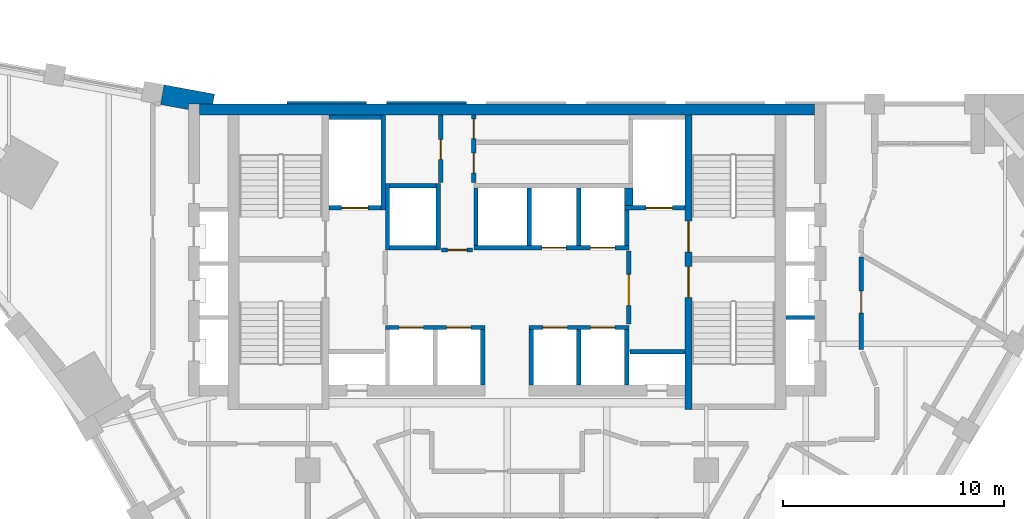
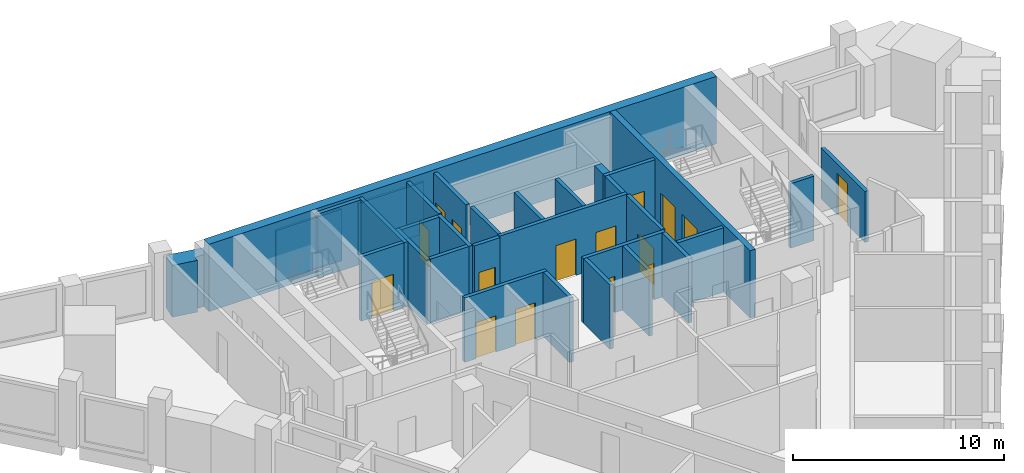
# One storey, part 6 of 9: 32 walls, 16 doors, 16 openings.
"""IFC4 building model written with IfcOpenShell, lengths in metres."""

from ifc_helpers import new_model, si_unit, direction, frame, frame_2d, origin, place, context, subcontext, project, spatial, polyline, rectangle, outline, extrude, material, layer, layer_set, type_object, element, fill, save


model = new_model("IFC4")

# Units and contexts
model_context = context("Model", 3, precision=1e-05, world=origin(), true_north=direction((0.0, 1.0)))
body_context = subcontext(model_context, "Body", "Model", "MODEL_VIEW")
ifc_project = project(units=[si_unit("LENGTHUNIT", "METRE"), si_unit("AREAUNIT", "SQUARE_METRE"), si_unit("VOLUMEUNIT", "CUBIC_METRE"), si_unit("PLANEANGLEUNIT", "RADIAN"), si_unit("MASSUNIT", "GRAM", prefix="KILO")], contexts=[model_context])

# Site, building, storey
site_placement = place(None, origin())
site = spatial("IfcSite", under=ifc_project, at=site_placement, CompositionType="ELEMENT")
building_placement = place(site_placement, origin())
building = spatial("IfcBuilding", under=site, at=building_placement, Name="Calabash Gate Tower", CompositionType="ELEMENT")
storey_placement = place(building_placement, frame((0.0, 0.0, 208.10009765625)))
storey = spatial("IfcBuildingStorey", under=building, at=storey_placement, Name="L49", CompositionType="ELEMENT", Elevation=208.10009765625)

# Wall
ifc_material_1 = material(Name="Terracotta brick masonry, exposed face", Category="masonry")
ifc_layer_1 = layer(ifc_material_1, 0.89990234375)
ifc_layer_set_1 = layer_set([ifc_layer_1], Name="Brick end wall 900")
wall_type_1 = type_object("IfcWallType", Name="Brick end wall 900", PredefinedType="SOLIDWALL", material=ifc_layer_set_1)
wall_1_placement = place(storey_placement, origin())
element("IfcWall", 1, at=wall_1_placement, inside=storey, type_object=wall_type_1, Name="Brick end wall S14 1", PredefinedType="SOLIDWALL", context=body_context, shape_type="SweptSolid", body=[
    extrude(outline(polyline([(-15.651611328125, 19.02734375), (-15.65185546875, 19.027099609375), (-14.39990234375, 18.798095703125), (-14.39990234375, 19.052490234375), (-13.291015625, 19.052490234375), (-13.2099609375, 19.4951171875), (-15.489501953125, 19.912353515625), (-15.6513671875, 19.02734375), (-15.651611328125, 19.02734375)])), origin(), (0.0, 0.0, 1.0), 3.0),
])

# Wall, openings, doors
ifc_material_2 = material(Name="Concrete C70/85", Category="concrete")
ifc_layer_2 = layer(ifc_material_2, 0.300048828125)
ifc_layer_set_2 = layer_set([ifc_layer_2], Name="Core wall 300 Concrete C70/85")
wall_type_2 = type_object("IfcWallType", Name="Core wall 300 Concrete C70/85", PredefinedType="SHEAR", material=ifc_layer_set_2)
wall_2_placement = place(storey_placement, frame((8.199951171875, 5.252685546875, 0.0), z_axis=(0.0, 0.0, 1.0), x_axis=(0.0, 1.0, 0.0)))
wall_2 = element("IfcWall", 2, at=wall_2_placement, inside=storey, type_object=wall_type_2, Name="Core wall Z4-PARTE L49", PredefinedType="SHEAR", context=body_context, shape_type="SweptSolid", body=[
    extrude(rectangle(XDim=13.2998046875, YDim=0.300048828125, at=frame_2d((6.64990234375, 0.0))), origin(), (0.0, 0.0, 1.0), 3.89990234375),
])
opening_1_placement = place(wall_2_placement, frame((7.10009765625, 0.0, 0.0)))
opening_1 = element("IfcOpeningElement", 3, at=opening_1_placement, cuts=wall_2, Name="Opening O6-019", PredefinedType="OPENING", context=body_context, shape_type="SweptSolid", body=[
    extrude(rectangle(XDim=1.39990234375, YDim=2.10009765625, at=frame_2d((0.699951171875, 1.050048828125))), frame((0.0, 0.159912109375, 0.0), z_axis=(0.0, -1.0, 0.0), x_axis=(1.0, 0.0, 0.0)), (0.0, 0.0, 1.0), 0.320068359375),
])
opening_2_placement = place(wall_2_placement, frame((5.050048828125, 0.0, 0.0)))
opening_2 = element("IfcOpeningElement", 4, at=opening_2_placement, cuts=wall_2, Name="Opening O6-020", PredefinedType="OPENING", context=body_context, shape_type="SweptSolid", body=[
    extrude(rectangle(XDim=1.39990234375, YDim=2.10009765625, at=frame_2d((0.699951171875, 1.050048828125))), frame((0.0, 0.159912109375, 0.0), z_axis=(0.0, -1.0, 0.0), x_axis=(1.0, 0.0, 0.0)), (0.0, 0.0, 1.0), 0.320068359375),
])
ifc_material_3 = material(Name="Steel fire door set with fire-resisting glazing", Category="steel")
door_type_1 = type_object("IfcDoorType", Name="Fire door D05 1400x2100 FD90", OperationType="NOTDEFINED", PredefinedType="DOOR", material=ifc_material_3)
door_1_placement = place(opening_1_placement, origin())
door_1 = element("IfcDoor", 5, at=door_1_placement, inside=storey, type_object=door_type_1, Name="Exit stair door ST3", OperationType="SINGLE_SWING_RIGHT", OverallHeight=2.10009765625, OverallWidth=1.39990234375, PredefinedType="DOOR", context=body_context, shape_type="SweptSolid", body=[
    extrude(rectangle(XDim=1.39990234375, YDim=2.10009765625, at=frame_2d((0.699951171875, 1.050048828125))), frame((0.0, 0.02490234375, 0.0), z_axis=(0.0, -1.0, 0.0), x_axis=(1.0, 0.0, 0.0)), (0.0, 0.0, 1.0), 0.050048828125),
])
fill(opening_1, door_1)
door_2_placement = place(opening_2_placement, origin())
door_2 = element("IfcDoor", 6, at=door_2_placement, inside=storey, type_object=door_type_1, Name="Exit stair door ST4", OperationType="SINGLE_SWING_LEFT", OverallHeight=2.10009765625, OverallWidth=1.39990234375, PredefinedType="DOOR", context=body_context, shape_type="SweptSolid", body=[
    extrude(rectangle(XDim=1.39990234375, YDim=2.10009765625, at=frame_2d((0.699951171875, 1.050048828125))), frame((0.0, 0.02490234375, 0.0), z_axis=(0.0, -1.0, 0.0), x_axis=(1.0, 0.0, 0.0)), (0.0, 0.0, 1.0), 0.050048828125),
])
fill(opening_2, door_2)

# Wall
ifc_material_4 = material(Name="Concrete C70/85", Category="concrete")
ifc_layer_3 = layer(ifc_material_4, 0.5)
ifc_layer_set_3 = layer_set([ifc_layer_3], Name="Core wall 500 Concrete C70/85")
wall_type_3 = type_object("IfcWallType", Name="Core wall 500 Concrete C70/85", PredefinedType="SHEAR", material=ifc_layer_set_3)
wall_3_placement = place(storey_placement, frame((-13.89990234375, 18.802490234375, 0.0), z_axis=(0.0, 0.0, 1.0), x_axis=(1.0, 0.0, 0.0)))
element("IfcWall", 7, at=wall_3_placement, inside=storey, type_object=wall_type_3, Name="Core wall Z4-N L49", PredefinedType="SHEAR", context=body_context, shape_type="SweptSolid", body=[
    extrude(rectangle(XDim=27.7998046875, YDim=0.5, at=frame_2d((13.89990234375, 0.0))), origin(), (0.0, 0.0, 1.0), 3.89990234375),
])

# Wall, opening, door
ifc_material_5 = material(Name="Gypsum board on steel studs, mineral wool", Category="steel")
ifc_layer_4 = layer(ifc_material_5, 0.199951171875)
ifc_layer_set_4 = layer_set([ifc_layer_4], Name="Partition 200 gypsum board EI 60")
wall_type_4 = type_object("IfcWallType", Name="Partition 200 gypsum board EI 60", PredefinedType="PARTITIONING", material=ifc_layer_set_4)
wall_4_placement = place(storey_placement, frame((16.00048828125, 7.95263671875, 0.0), z_axis=(0.0, 0.0, 1.0), x_axis=(0.000349507755, 0.999999938922, 0.0)))
wall_4 = element("IfcWall", 8, at=wall_4_placement, inside=storey, type_object=wall_type_4, Name="Partition", PredefinedType="PARTITIONING", context=body_context, shape_type="SweptSolid", body=[
    extrude(rectangle(XDim=4.191162109375, YDim=0.199951171875, at=frame_2d((2.095703125, 0.0))), origin(), (0.0, 0.0, 1.0), 2.949951171875),
])
opening_3_placement = place(wall_4_placement, frame((1.64599609375, 0.0, 0.0)))
opening_3 = element("IfcOpeningElement", 9, at=opening_3_placement, cuts=wall_4, Name="Opening 49-51-014", PredefinedType="OPENING", context=body_context, shape_type="SweptSolid", body=[
    extrude(rectangle(XDim=1.0, YDim=2.39990234375, at=frame_2d((0.5, 1.199951171875))), frame((0.0, 0.10986328125, 0.0), z_axis=(0.0, -1.0, 0.0), x_axis=(1.0, 0.0, 0.0)), (0.0, 0.0, 1.0), 0.219970703125),
])
ifc_material_6 = material(Name="Painted timber door", Category="wood")
door_type_2 = type_object("IfcDoorType", Name="OD2 Glazed office door 1000x2400", OperationType="NOTDEFINED", PredefinedType="DOOR", material=ifc_material_6)
door_3_placement = place(opening_3_placement, origin())
door_3 = element("IfcDoor", 10, at=door_3_placement, inside=storey, type_object=door_type_2, Name="Glazed office door", OperationType="SINGLE_SWING_LEFT", OverallHeight=2.39990234375, OverallWidth=1.0, PredefinedType="DOOR", context=body_context, shape_type="SweptSolid", body=[
    extrude(rectangle(XDim=1.0, YDim=2.39990234375, at=frame_2d((0.5, 1.199951171875))), frame((0.0, 0.02490234375, 0.0), z_axis=(0.0, -1.0, 0.0), x_axis=(1.0, 0.0, 0.0)), (0.0, 0.0, 1.0), 0.050048828125),
])
fill(opening_3, door_3)

# Walls
ifc_material_7 = material(Name="Concrete C40/50", Category="concrete")
ifc_layer_5 = layer(ifc_material_7, 0.199951171875)
ifc_layer_set_5 = layer_set([ifc_layer_5], Name="Shaft wall 200 Concrete C40/50")
wall_type_5 = type_object("IfcWallType", Name="Shaft wall 200 Concrete C40/50", PredefinedType="SOLIDWALL", material=ifc_layer_set_5)
for number, where, z_axis, x_axis, name in (
    (11, (-1.10009765625, 6.3525390625, 0.0), (0.0, 0.0, 1.0), (0.0, 1.0, 0.0), "Shaft wall"),
    (12, (1.10009765625, 6.3525390625, 0.0), (0.0, 0.0, 1.0), (0.0, 1.0, 0.0), "Shaft wall"),
    (13, (3.25, 6.3525390625, 0.0), (0.0, 0.0, 1.0), (0.0, 1.0, 0.0), "Shaft wall"),
    (14, (5.39990234375, 6.3525390625, 0.0), (0.0, 0.0, 1.0), (0.0, 1.0, 0.0), "Shaft wall"),
    (15, (5.550048828125, 7.8525390625, 0.0), (0.0, 0.0, 1.0), (1.0, 0.0, 0.0), "Shaft wall"),
):
    element("IfcWall", number, at=place(storey_placement, frame(where, z_axis=z_axis, x_axis=x_axis)), inside=storey, type_object=wall_type_5, Name=name, PredefinedType="SOLIDWALL", context=body_context, shape_type="SweptSolid", body=[
        extrude(rectangle(XDim=2.5, YDim=0.199951171875, at=frame_2d((1.25, 0.0))), origin(), (0.0, 0.0, 1.0), 3.72998046875),
    ])

# Wall, openings, doors
wall_5_placement = place(storey_placement, frame((-5.5, 8.95263671875, 0.0), z_axis=(0.0, 0.0, 1.0), x_axis=(1.0, 0.0, 0.0)))
wall_5 = element("IfcWall", 16, at=wall_5_placement, inside=storey, type_object=wall_type_5, Name="Shaft wall", PredefinedType="SOLIDWALL", context=body_context, shape_type="SweptSolid", body=[
    extrude(rectangle(XDim=4.5, YDim=0.199951171875, at=frame_2d((2.25, 0.0))), origin(), (0.0, 0.0, 1.0), 3.72998046875),
])
opening_4_placement = place(wall_5_placement, frame((0.625, 0.0, 0.0)))
opening_4 = element("IfcOpeningElement", 17, at=opening_4_placement, cuts=wall_5, Name="Opening LD-HR1", PredefinedType="OPENING", context=body_context, shape_type="SweptSolid", body=[
    extrude(rectangle(XDim=1.10009765625, YDim=2.10009765625, at=frame_2d((0.550048828125, 1.050048828125))), frame((0.0, 0.10986328125, 0.0), z_axis=(0.0, -1.0, 0.0), x_axis=(1.0, 0.0, 0.0)), (0.0, 0.0, 1.0), 0.219970703125),
])
opening_5_placement = place(wall_5_placement, frame((2.77490234375, 0.0, 0.0)))
opening_5 = element("IfcOpeningElement", 18, at=opening_5_placement, cuts=wall_5, Name="Opening LD-HR2", PredefinedType="OPENING", context=body_context, shape_type="SweptSolid", body=[
    extrude(rectangle(XDim=1.10009765625, YDim=2.10009765625, at=frame_2d((0.550048828125, 1.050048828125))), frame((0.0, 0.10986328125, 0.0), z_axis=(0.0, -1.0, 0.0), x_axis=(1.0, 0.0, 0.0)), (0.0, 0.0, 1.0), 0.219970703125),
])
ifc_material_8 = material(Name="Stainless steel sliding door leaves", Category="steel")
door_type_3 = type_object("IfcDoorType", Name="Lift landing door LS1 1100x2100 FD90", OperationType="DOUBLE_DOOR_SLIDING", PredefinedType="DOOR", material=ifc_material_8)
door_4_placement = place(opening_4_placement, origin())
door_4 = element("IfcDoor", 19, at=door_4_placement, inside=storey, type_object=door_type_3, Name="Lift landing door HR1", OperationType="DOUBLE_DOOR_SLIDING", OverallHeight=2.10009765625, OverallWidth=1.10009765625, PredefinedType="DOOR", context=body_context, shape_type="SweptSolid", body=[
    extrude(rectangle(XDim=1.10009765625, YDim=2.10009765625, at=frame_2d((0.550048828125, 1.050048828125))), frame((0.0, 0.02490234375, 0.0), z_axis=(0.0, -1.0, 0.0), x_axis=(1.0, 0.0, 0.0)), (0.0, 0.0, 1.0), 0.050048828125),
])
fill(opening_4, door_4)
door_5_placement = place(opening_5_placement, origin())
door_5 = element("IfcDoor", 20, at=door_5_placement, inside=storey, type_object=door_type_3, Name="Lift landing door HR2", OperationType="DOUBLE_DOOR_SLIDING", OverallHeight=2.10009765625, OverallWidth=1.10009765625, PredefinedType="DOOR", context=body_context, shape_type="SweptSolid", body=[
    extrude(rectangle(XDim=1.10009765625, YDim=2.10009765625, at=frame_2d((0.550048828125, 1.050048828125))), frame((0.0, 0.02490234375, 0.0), z_axis=(0.0, -1.0, 0.0), x_axis=(1.0, 0.0, 0.0)), (0.0, 0.0, 1.0), 0.050048828125),
])
fill(opening_5, door_5)

wall_6_placement = place(storey_placement, frame((1.0, 8.95263671875, 0.0), z_axis=(0.0, 0.0, 1.0), x_axis=(1.0, 0.0, 0.0)))
wall_6 = element("IfcWall", 21, at=wall_6_placement, inside=storey, type_object=wall_type_5, Name="Shaft wall", PredefinedType="SOLIDWALL", context=body_context, shape_type="SweptSolid", body=[
    extrude(rectangle(XDim=4.5, YDim=0.199951171875, at=frame_2d((2.25, 0.0))), origin(), (0.0, 0.0, 1.0), 3.72998046875),
])
opening_6_placement = place(wall_6_placement, frame((0.625, 0.0, 0.0)))
opening_6 = element("IfcOpeningElement", 22, at=opening_6_placement, cuts=wall_6, Name="Opening LD-HR3", PredefinedType="OPENING", context=body_context, shape_type="SweptSolid", body=[
    extrude(rectangle(XDim=1.10009765625, YDim=2.10009765625, at=frame_2d((0.550048828125, 1.050048828125))), frame((0.0, 0.10986328125, 0.0), z_axis=(0.0, -1.0, 0.0), x_axis=(1.0, 0.0, 0.0)), (0.0, 0.0, 1.0), 0.219970703125),
])
opening_7_placement = place(wall_6_placement, frame((2.77490234375, 0.0, 0.0)))
opening_7 = element("IfcOpeningElement", 23, at=opening_7_placement, cuts=wall_6, Name="Opening LD-HR4", PredefinedType="OPENING", context=body_context, shape_type="SweptSolid", body=[
    extrude(rectangle(XDim=1.10009765625, YDim=2.10009765625, at=frame_2d((0.550048828125, 1.050048828125))), frame((0.0, 0.10986328125, 0.0), z_axis=(0.0, -1.0, 0.0), x_axis=(1.0, 0.0, 0.0)), (0.0, 0.0, 1.0), 0.219970703125),
])
door_6_placement = place(opening_6_placement, origin())
door_6 = element("IfcDoor", 24, at=door_6_placement, inside=storey, type_object=door_type_3, Name="Lift landing door HR3", OperationType="DOUBLE_DOOR_SLIDING", OverallHeight=2.10009765625, OverallWidth=1.10009765625, PredefinedType="DOOR", context=body_context, shape_type="SweptSolid", body=[
    extrude(rectangle(XDim=1.10009765625, YDim=2.10009765625, at=frame_2d((0.550048828125, 1.050048828125))), frame((0.0, 0.02490234375, 0.0), z_axis=(0.0, -1.0, 0.0), x_axis=(1.0, 0.0, 0.0)), (0.0, 0.0, 1.0), 0.050048828125),
])
fill(opening_6, door_6)
door_7_placement = place(opening_7_placement, origin())
door_7 = element("IfcDoor", 25, at=door_7_placement, inside=storey, type_object=door_type_3, Name="Lift landing door HR4", OperationType="DOUBLE_DOOR_SLIDING", OverallHeight=2.10009765625, OverallWidth=1.10009765625, PredefinedType="DOOR", context=body_context, shape_type="SweptSolid", body=[
    extrude(rectangle(XDim=1.10009765625, YDim=2.10009765625, at=frame_2d((0.550048828125, 1.050048828125))), frame((0.0, 0.02490234375, 0.0), z_axis=(0.0, -1.0, 0.0), x_axis=(1.0, 0.0, 0.0)), (0.0, 0.0, 1.0), 0.050048828125),
])
fill(opening_7, door_7)

# Wall, opening, door
wall_7_placement = place(storey_placement, frame((5.5, 9.1025390625, 0.0), z_axis=(0.0, 0.0, 1.0), x_axis=(0.0, 1.0, 0.0)))
wall_7 = element("IfcWall", 26, at=wall_7_placement, inside=storey, type_object=wall_type_5, Name="Shaft wall", PredefinedType="SOLIDWALL", context=body_context, shape_type="SweptSolid", body=[
    extrude(rectangle(XDim=3.300048828125, YDim=0.199951171875, at=frame_2d((1.64990234375, 0.0))), origin(), (0.0, 0.0, 1.0), 3.72998046875),
])
opening_8_placement = place(wall_7_placement, frame((0.85009765625, 0.0, 0.0)))
opening_8 = element("IfcOpeningElement", 27, at=opening_8_placement, cuts=wall_7, Name="Opening O6-010", PredefinedType="OPENING", context=body_context, shape_type="SweptSolid", body=[
    extrude(rectangle(XDim=1.39990234375, YDim=2.10009765625, at=frame_2d((0.699951171875, 1.050048828125))), frame((0.0, 0.10986328125, 0.0), z_axis=(0.0, -1.0, 0.0), x_axis=(1.0, 0.0, 0.0)), (0.0, 0.0, 1.0), 0.219970703125),
])
door_8_placement = place(opening_8_placement, origin())
door_8 = element("IfcDoor", 28, at=door_8_placement, inside=storey, type_object=door_type_1, Name="Firefighting Lobby E door", OperationType="SINGLE_SWING_LEFT", OverallHeight=2.10009765625, OverallWidth=1.39990234375, PredefinedType="DOOR", context=body_context, shape_type="SweptSolid", body=[
    extrude(rectangle(XDim=1.39990234375, YDim=2.10009765625, at=frame_2d((0.699951171875, 1.050048828125))), frame((0.0, 0.02490234375, 0.0), z_axis=(0.0, -1.0, 0.0), x_axis=(1.0, 0.0, 0.0)), (0.0, 0.0, 1.0), 0.050048828125),
])
fill(opening_8, door_8)

# Wall
wall_8_placement = place(storey_placement, frame((12.60009765625, 9.402587890625, 0.0), z_axis=(0.0, 0.0, 1.0), x_axis=(1.0, 0.0, 0.0)))
element("IfcWall", 29, at=wall_8_placement, inside=storey, type_object=wall_type_5, Name="Shaft wall", PredefinedType="SOLIDWALL", context=body_context, shape_type="SweptSolid", body=[
    extrude(rectangle(XDim=1.2998046875, YDim=0.199951171875, at=frame_2d((0.64990234375, 0.0))), origin(), (0.0, 0.0, 1.0), 3.72998046875),
])

# Wall, opening, door
wall_9_placement = place(storey_placement, frame((-2.949951171875, 12.45263671875, 0.0), z_axis=(0.0, 0.0, 1.0), x_axis=(1.0, 0.0, 0.0)))
wall_9 = element("IfcWall", 30, at=wall_9_placement, inside=storey, type_object=wall_type_5, Name="Shaft wall", PredefinedType="SOLIDWALL", context=body_context, shape_type="SweptSolid", body=[
    extrude(rectangle(XDim=1.39990234375, YDim=0.199951171875, at=frame_2d((0.699951171875, 0.0))), origin(), (0.0, 0.0, 1.0), 3.72998046875),
])
opening_9_placement = place(wall_9_placement, frame((0.25, 0.0, 0.0)))
opening_9 = element("IfcOpeningElement", 31, at=opening_9_placement, cuts=wall_9, Name="Opening O6-009", PredefinedType="OPENING", context=body_context, shape_type="SweptSolid", body=[
    extrude(rectangle(XDim=0.89990234375, YDim=2.10009765625, at=frame_2d((0.449951171875, 1.050048828125))), frame((0.0, 0.10986328125, 0.0), z_axis=(0.0, -1.0, 0.0), x_axis=(1.0, 0.0, 0.0)), (0.0, 0.0, 1.0), 0.219970703125),
])
ifc_material_9 = material(Name="Steel fire door set with fire-resisting glazing", Category="steel")
door_type_4 = type_object("IfcDoorType", Name="Fire door D06 900x2100 FD60", OperationType="NOTDEFINED", PredefinedType="DOOR", material=ifc_material_9)
door_9_placement = place(opening_9_placement, origin())
door_9 = element("IfcDoor", 32, at=door_9_placement, inside=storey, type_object=door_type_4, Name="Service Corridor door", OperationType="SINGLE_SWING_RIGHT", OverallHeight=2.10009765625, OverallWidth=0.89990234375, PredefinedType="DOOR", context=body_context, shape_type="SweptSolid", body=[
    extrude(rectangle(XDim=0.89990234375, YDim=2.10009765625, at=frame_2d((0.449951171875, 1.050048828125))), frame((0.0, 0.02490234375, 0.0), z_axis=(0.0, -1.0, 0.0), x_axis=(1.0, 0.0, 0.0)), (0.0, 0.0, 1.0), 0.050048828125),
])
fill(opening_9, door_9)

# Walls
wall_10_placement = place(storey_placement, frame((-5.39990234375, 12.45263671875, 0.0), z_axis=(0.0, 0.0, 1.0), x_axis=(0.0, 1.0, 0.0)))
element("IfcWall", 33, at=wall_10_placement, inside=storey, type_object=wall_type_5, Name="Shaft wall", PredefinedType="SOLIDWALL", context=body_context, shape_type="SweptSolid", body=[
    extrude(rectangle(XDim=3.0, YDim=0.199951171875, at=frame_2d((1.5, 0.0))), origin(), (0.0, 0.0, 1.0), 3.72998046875),
])
wall_11_placement = place(storey_placement, frame((-5.300048828125, 12.552490234375, 0.0), z_axis=(0.0, 0.0, 1.0), x_axis=(1.0, 0.0, 0.0)))
element("IfcWall", 34, at=wall_11_placement, inside=storey, type_object=wall_type_5, Name="Shaft wall", PredefinedType="SOLIDWALL", context=body_context, shape_type="SweptSolid", body=[
    extrude(rectangle(XDim=2.10009765625, YDim=0.199951171875, at=frame_2d((1.050048828125, 0.0))), origin(), (0.0, 0.0, 1.0), 3.72998046875),
])
wall_12_placement = place(storey_placement, frame((-3.10009765625, 12.45263671875, 0.0), z_axis=(0.0, 0.0, 1.0), x_axis=(0.0, 1.0, 0.0)))
element("IfcWall", 35, at=wall_12_placement, inside=storey, type_object=wall_type_5, Name="Shaft wall", PredefinedType="SOLIDWALL", context=body_context, shape_type="SweptSolid", body=[
    extrude(rectangle(XDim=3.0, YDim=0.199951171875, at=frame_2d((1.5, 0.0))), origin(), (0.0, 0.0, 1.0), 3.72998046875),
])

# Wall, openings, doors
wall_13_placement = place(storey_placement, frame((-1.5, 12.552490234375, 0.0), z_axis=(0.0, 0.0, 1.0), x_axis=(1.0, 0.0, 0.0)))
wall_13 = element("IfcWall", 36, at=wall_13_placement, inside=storey, type_object=wall_type_5, Name="Shaft wall", PredefinedType="SOLIDWALL", context=body_context, shape_type="SweptSolid", body=[
    extrude(rectangle(XDim=7.0, YDim=0.199951171875, at=frame_2d((3.5, 0.0))), origin(), (0.0, 0.0, 1.0), 3.72998046875),
])
opening_10_placement = place(wall_13_placement, frame((3.074951171875, 0.0, 0.0)))
opening_10 = element("IfcOpeningElement", 37, at=opening_10_placement, cuts=wall_13, Name="Opening LD-HR5", PredefinedType="OPENING", context=body_context, shape_type="SweptSolid", body=[
    extrude(rectangle(XDim=1.10009765625, YDim=2.10009765625, at=frame_2d((0.550048828125, 1.050048828125))), frame((0.0, 0.10986328125, 0.0), z_axis=(0.0, -1.0, 0.0), x_axis=(1.0, 0.0, 0.0)), (0.0, 0.0, 1.0), 0.219970703125),
])
opening_11_placement = place(wall_13_placement, frame((5.27490234375, 0.0, 0.0)))
opening_11 = element("IfcOpeningElement", 38, at=opening_11_placement, cuts=wall_13, Name="Opening LD-HR6", PredefinedType="OPENING", context=body_context, shape_type="SweptSolid", body=[
    extrude(rectangle(XDim=1.10009765625, YDim=2.10009765625, at=frame_2d((0.550048828125, 1.050048828125))), frame((0.0, 0.10986328125, 0.0), z_axis=(0.0, -1.0, 0.0), x_axis=(1.0, 0.0, 0.0)), (0.0, 0.0, 1.0), 0.219970703125),
])
door_10_placement = place(opening_10_placement, origin())
door_10 = element("IfcDoor", 39, at=door_10_placement, inside=storey, type_object=door_type_3, Name="Lift landing door HR5", OperationType="DOUBLE_DOOR_SLIDING", OverallHeight=2.10009765625, OverallWidth=1.10009765625, PredefinedType="DOOR", context=body_context, shape_type="SweptSolid", body=[
    extrude(rectangle(XDim=1.10009765625, YDim=2.10009765625, at=frame_2d((0.550048828125, 1.050048828125))), frame((0.0, 0.02490234375, 0.0), z_axis=(0.0, -1.0, 0.0), x_axis=(1.0, 0.0, 0.0)), (0.0, 0.0, 1.0), 0.050048828125),
])
fill(opening_10, door_10)
door_11_placement = place(opening_11_placement, origin())
door_11 = element("IfcDoor", 40, at=door_11_placement, inside=storey, type_object=door_type_3, Name="Lift landing door HR6", OperationType="DOUBLE_DOOR_SLIDING", OverallHeight=2.10009765625, OverallWidth=1.10009765625, PredefinedType="DOOR", context=body_context, shape_type="SweptSolid", body=[
    extrude(rectangle(XDim=1.10009765625, YDim=2.10009765625, at=frame_2d((0.550048828125, 1.050048828125))), frame((0.0, 0.02490234375, 0.0), z_axis=(0.0, -1.0, 0.0), x_axis=(1.0, 0.0, 0.0)), (0.0, 0.0, 1.0), 0.050048828125),
])
fill(opening_11, door_11)

# Walls
for number, where, z_axis, x_axis, name in (
    (41, (-1.39990234375, 12.652587890625, 0.0), (0.0, 0.0, 1.0), (0.0, 1.0, 0.0), "Shaft wall"),
    (42, (1.0, 12.652587890625, 0.0), (0.0, 0.0, 1.0), (0.0, 1.0, 0.0), "Shaft wall"),
    (43, (3.25, 12.652587890625, 0.0), (0.0, 0.0, 1.0), (0.0, 1.0, 0.0), "Shaft wall"),
):
    element("IfcWall", number, at=place(storey_placement, frame(where, z_axis=z_axis, x_axis=x_axis)), inside=storey, type_object=wall_type_5, Name=name, PredefinedType="SOLIDWALL", context=body_context, shape_type="SweptSolid", body=[
        extrude(rectangle(XDim=2.60009765625, YDim=0.199951171875, at=frame_2d((1.300048828125, 0.0))), origin(), (0.0, 0.0, 1.0), 3.72998046875),
    ])
wall_14_placement = place(storey_placement, frame((5.39990234375, 12.652587890625, 0.0), z_axis=(0.0, 0.0, 1.0), x_axis=(0.0, 1.0, 0.0)))
element("IfcWall", 44, at=wall_14_placement, inside=storey, type_object=wall_type_5, Name="Shaft wall", PredefinedType="SOLIDWALL", context=body_context, shape_type="SweptSolid", body=[
    extrude(rectangle(XDim=1.60009765625, YDim=0.199951171875, at=frame_2d((0.800048828125, 0.0))), origin(), (0.0, 0.0, 1.0), 3.72998046875),
])

# Wall, opening, door
wall_15_placement = place(storey_placement, frame((-8.050048828125, 14.3525390625, 0.0), z_axis=(0.0, 0.0, 1.0), x_axis=(1.0, 0.0, 0.0)))
wall_15 = element("IfcWall", 45, at=wall_15_placement, inside=storey, type_object=wall_type_5, Name="Shaft wall", PredefinedType="SOLIDWALL", context=body_context, shape_type="SweptSolid", body=[
    extrude(rectangle(XDim=2.35009765625, YDim=0.199951171875, at=frame_2d((1.175048828125, 0.0))), origin(), (0.0, 0.0, 1.0), 3.72998046875),
])
opening_12_placement = place(wall_15_placement, frame((0.574951171875, 0.0, 0.0)))
opening_12 = element("IfcOpeningElement", 46, at=opening_12_placement, cuts=wall_15, Name="Opening LD-FF1", PredefinedType="OPENING", context=body_context, shape_type="SweptSolid", body=[
    extrude(rectangle(XDim=1.199951171875, YDim=2.10009765625, at=frame_2d((0.60009765625, 1.050048828125))), frame((0.0, 0.10986328125, 0.0), z_axis=(0.0, -1.0, 0.0), x_axis=(1.0, 0.0, 0.0)), (0.0, 0.0, 1.0), 0.219970703125),
])
ifc_material_10 = material(Name="Stainless steel sliding door leaves", Category="steel")
door_type_5 = type_object("IfcDoorType", Name="Lift landing door LS3 1200x2100 FD90", OperationType="DOUBLE_DOOR_SLIDING", PredefinedType="DOOR", material=ifc_material_10)
door_12_placement = place(opening_12_placement, origin())
door_12 = element("IfcDoor", 47, at=door_12_placement, inside=storey, type_object=door_type_5, Name="Lift landing door FF1", OperationType="DOUBLE_DOOR_SLIDING", OverallHeight=2.10009765625, OverallWidth=1.199951171875, PredefinedType="DOOR", context=body_context, shape_type="SweptSolid", body=[
    extrude(rectangle(XDim=1.199951171875, YDim=2.10009765625, at=frame_2d((0.60009765625, 1.050048828125))), frame((0.0, 0.02490234375, 0.0), z_axis=(0.0, -1.0, 0.0), x_axis=(1.0, 0.0, 0.0)), (0.0, 0.0, 1.0), 0.050048828125),
])
fill(opening_12, door_12)

# Wall
wall_16_placement = place(storey_placement, frame((-5.60009765625, 14.252685546875, 0.0), z_axis=(0.0, 0.0, 1.0), x_axis=(0.0, 1.0, 0.0)))
element("IfcWall", 48, at=wall_16_placement, inside=storey, type_object=wall_type_5, Name="Shaft wall", PredefinedType="SOLIDWALL", context=body_context, shape_type="SweptSolid", body=[
    extrude(rectangle(XDim=4.2998046875, YDim=0.199951171875, at=frame_2d((2.14990234375, 0.0))), origin(), (0.0, 0.0, 1.0), 3.72998046875),
])

# Wall, opening, door
wall_17_placement = place(storey_placement, frame((5.300048828125, 14.3525390625, 0.0), z_axis=(0.0, 0.0, 1.0), x_axis=(1.0, 0.0, 0.0)))
wall_17 = element("IfcWall", 49, at=wall_17_placement, inside=storey, type_object=wall_type_5, Name="Shaft wall", PredefinedType="SOLIDWALL", context=body_context, shape_type="SweptSolid", body=[
    extrude(rectangle(XDim=2.75, YDim=0.199951171875, at=frame_2d((1.375, 0.0))), origin(), (0.0, 0.0, 1.0), 3.72998046875),
])
opening_13_placement = place(wall_17_placement, frame((0.97509765625, 0.0, 0.0)))
opening_13 = element("IfcOpeningElement", 50, at=opening_13_placement, cuts=wall_17, Name="Opening LD-FF2", PredefinedType="OPENING", context=body_context, shape_type="SweptSolid", body=[
    extrude(rectangle(XDim=1.199951171875, YDim=2.10009765625, at=frame_2d((0.60009765625, 1.050048828125))), frame((0.0, 0.10986328125, 0.0), z_axis=(0.0, -1.0, 0.0), x_axis=(1.0, 0.0, 0.0)), (0.0, 0.0, 1.0), 0.219970703125),
])
door_13_placement = place(opening_13_placement, origin())
door_13 = element("IfcDoor", 51, at=door_13_placement, inside=storey, type_object=door_type_5, Name="Lift landing door FF2", OperationType="DOUBLE_DOOR_SLIDING", OverallHeight=2.10009765625, OverallWidth=1.199951171875, PredefinedType="DOOR", context=body_context, shape_type="SweptSolid", body=[
    extrude(rectangle(XDim=1.199951171875, YDim=2.10009765625, at=frame_2d((0.60009765625, 1.050048828125))), frame((0.0, 0.02490234375, 0.0), z_axis=(0.0, -1.0, 0.0), x_axis=(1.0, 0.0, 0.0)), (0.0, 0.0, 1.0), 0.050048828125),
])
fill(opening_13, door_13)

# Walls
wall_18_placement = place(storey_placement, frame((5.5, 14.45263671875, 0.0), z_axis=(0.0, 0.0, 1.0), x_axis=(0.0, 1.0, 0.0)))
element("IfcWall", 52, at=wall_18_placement, inside=storey, type_object=wall_type_5, Name="Shaft wall", PredefinedType="SOLIDWALL", context=body_context, shape_type="SweptSolid", body=[
    extrude(rectangle(XDim=0.800048828125, YDim=0.39990234375, at=frame_2d((0.39990234375, 0.0))), origin(), (0.0, 0.0, 1.0), 3.72998046875),
])
wall_19_placement = place(storey_placement, frame((-5.300048828125, 15.3525390625, 0.0), z_axis=(0.0, 0.0, 1.0), x_axis=(1.0, 0.0, 0.0)))
element("IfcWall", 53, at=wall_19_placement, inside=storey, type_object=wall_type_5, Name="Shaft wall", PredefinedType="SOLIDWALL", context=body_context, shape_type="SweptSolid", body=[
    extrude(rectangle(XDim=2.10009765625, YDim=0.199951171875, at=frame_2d((1.050048828125, 0.0))), origin(), (0.0, 0.0, 1.0), 3.72998046875),
])

# Wall, opening, door
wall_20_placement = place(storey_placement, frame((-3.0, 15.502685546875, 0.0), z_axis=(0.0, 0.0, 1.0), x_axis=(0.0, 1.0, 0.0)))
wall_20 = element("IfcWall", 54, at=wall_20_placement, inside=storey, type_object=wall_type_5, Name="Shaft wall", PredefinedType="SOLIDWALL", context=body_context, shape_type="SweptSolid", body=[
    extrude(rectangle(XDim=3.0498046875, YDim=0.199951171875, at=frame_2d((1.52490234375, 0.0))), origin(), (0.0, 0.0, 1.0), 3.72998046875),
])
opening_14_placement = place(wall_20_placement, frame((1.050048828125, 0.0, 0.0)))
opening_14 = element("IfcOpeningElement", 55, at=opening_14_placement, cuts=wall_20, Name="Opening O6-012", PredefinedType="OPENING", context=body_context, shape_type="SweptSolid", body=[
    extrude(rectangle(XDim=0.89990234375, YDim=2.10009765625, at=frame_2d((0.449951171875, 1.050048828125))), frame((0.0, 0.10986328125, 0.0), z_axis=(0.0, -1.0, 0.0), x_axis=(1.0, 0.0, 0.0)), (0.0, 0.0, 1.0), 0.219970703125),
])
door_14_placement = place(opening_14_placement, origin())
door_14 = element("IfcDoor", 56, at=door_14_placement, inside=storey, type_object=door_type_4, Name="Accessible WC door", OperationType="SINGLE_SWING_LEFT", OverallHeight=2.10009765625, OverallWidth=0.89990234375, PredefinedType="DOOR", context=body_context, shape_type="SweptSolid", body=[
    extrude(rectangle(XDim=0.89990234375, YDim=2.10009765625, at=frame_2d((0.449951171875, 1.050048828125))), frame((0.0, 0.02490234375, 0.0), z_axis=(0.0, -1.0, 0.0), x_axis=(1.0, 0.0, 0.0)), (0.0, 0.0, 1.0), 0.050048828125),
])
fill(opening_14, door_14)

# Wall, openings, doors
wall_21_placement = place(storey_placement, frame((-1.5, 15.502685546875, 0.0), z_axis=(0.0, 0.0, 1.0), x_axis=(0.0, 1.0, 0.0)))
wall_21 = element("IfcWall", 57, at=wall_21_placement, inside=storey, type_object=wall_type_5, Name="Shaft wall", PredefinedType="SOLIDWALL", context=body_context, shape_type="SweptSolid", body=[
    extrude(rectangle(XDim=3.0498046875, YDim=0.199951171875, at=frame_2d((1.52490234375, 0.0))), origin(), (0.0, 0.0, 1.0), 3.72998046875),
])
opening_15_placement = place(wall_21_placement, frame((0.429931640625, 0.0, 0.0)))
opening_15 = element("IfcOpeningElement", 58, at=opening_15_placement, cuts=wall_21, Name="Opening O6-013", PredefinedType="OPENING", context=body_context, shape_type="SweptSolid", body=[
    extrude(rectangle(XDim=0.89990234375, YDim=2.10009765625, at=frame_2d((0.449951171875, 1.050048828125))), frame((0.0, 0.10986328125, 0.0), z_axis=(0.0, -1.0, 0.0), x_axis=(1.0, 0.0, 0.0)), (0.0, 0.0, 1.0), 0.219970703125),
])
opening_16_placement = place(wall_21_placement, frame((1.97998046875, 0.0, 0.0)))
opening_16 = element("IfcOpeningElement", 59, at=opening_16_placement, cuts=wall_21, Name="Opening O6-014", PredefinedType="OPENING", context=body_context, shape_type="SweptSolid", body=[
    extrude(rectangle(XDim=0.89990234375, YDim=2.10009765625, at=frame_2d((0.449951171875, 1.050048828125))), frame((0.0, 0.10986328125, 0.0), z_axis=(0.0, -1.0, 0.0), x_axis=(1.0, 0.0, 0.0)), (0.0, 0.0, 1.0), 0.219970703125),
])
door_15_placement = place(opening_15_placement, origin())
door_15 = element("IfcDoor", 60, at=door_15_placement, inside=storey, type_object=door_type_4, Name="Tenant Pantry door", OperationType="SINGLE_SWING_LEFT", OverallHeight=2.10009765625, OverallWidth=0.89990234375, PredefinedType="DOOR", context=body_context, shape_type="SweptSolid", body=[
    extrude(rectangle(XDim=0.89990234375, YDim=2.10009765625, at=frame_2d((0.449951171875, 1.050048828125))), frame((0.0, 0.02490234375, 0.0), z_axis=(0.0, -1.0, 0.0), x_axis=(1.0, 0.0, 0.0)), (0.0, 0.0, 1.0), 0.050048828125),
])
fill(opening_15, door_15)
door_16_placement = place(opening_16_placement, origin())
door_16 = element("IfcDoor", 61, at=door_16_placement, inside=storey, type_object=door_type_4, Name="Comms Room door", OperationType="SINGLE_SWING_LEFT", OverallHeight=2.10009765625, OverallWidth=0.89990234375, PredefinedType="DOOR", context=body_context, shape_type="SweptSolid", body=[
    extrude(rectangle(XDim=0.89990234375, YDim=2.10009765625, at=frame_2d((0.449951171875, 1.050048828125))), frame((0.0, 0.02490234375, 0.0), z_axis=(0.0, -1.0, 0.0), x_axis=(1.0, 0.0, 0.0)), (0.0, 0.0, 1.0), 0.050048828125),
])
fill(opening_16, door_16)

# Walls
wall_22_placement = place(storey_placement, frame((-8.050048828125, 18.45263671875, 0.0), z_axis=(0.0, 0.0, 1.0), x_axis=(1.0, 0.0, 0.0)))
element("IfcWall", 62, at=wall_22_placement, inside=storey, type_object=wall_type_5, Name="Shaft wall", PredefinedType="SOLIDWALL", context=body_context, shape_type="SweptSolid", body=[
    extrude(rectangle(XDim=2.35009765625, YDim=0.199951171875, at=frame_2d((1.175048828125, 0.0))), origin(), (0.0, 0.0, 1.0), 3.72998046875),
])
ifc_material_11 = material(Name="Terracotta brick masonry, perforated", Category="masonry")
ifc_layer_6 = layer(ifc_material_11, 0.1201171875)
ifc_layer_set_6 = layer_set([ifc_layer_6], Name="Terracotta jaali cladding B 120")
wall_type_6 = type_object("IfcWallType", Name="Terracotta jaali cladding B 120", PredefinedType="SOLIDWALL", material=ifc_layer_set_6)
wall_23_placement = place(storey_placement, origin())
element("IfcWall", 63, at=wall_23_placement, inside=storey, type_object=wall_type_6, Name="Jaali cladding S14 N4.7", PredefinedType="SOLIDWALL", context=body_context, shape_type="SweptSolid", body=[
    extrude(outline(polyline([(-9.939208984375, 19.172607421875), (-9.939208984375, 19.052490234375), (-6.339111328125, 19.052490234375), (-6.339111328125, 19.172607421875), (-9.939208984375, 19.172607421875)])), origin(), (0.0, 0.0, 1.0), 3.0),
])
ifc_material_12 = material(Name="Terracotta louvre blades in an aluminium frame", Category="masonry")
ifc_layer_7 = layer(ifc_material_12, 0.1201171875)
ifc_layer_set_7 = layer_set([ifc_layer_7], Name="Terracotta vent louvre cladding 120")
wall_type_7 = type_object("IfcWallType", Name="Terracotta vent louvre cladding 120", PredefinedType="ELEMENTEDWALL", material=ifc_layer_set_7)
wall_24_placement = place(storey_placement, origin())
element("IfcWall", 64, at=wall_24_placement, inside=storey, type_object=wall_type_7, Name="Vent louvre cladding S14 N4.6", PredefinedType="ELEMENTEDWALL", context=body_context, shape_type="SweptSolid", body=[
    extrude(outline(polyline([(-5.439208984375, 19.172607421875), (-5.439208984375, 19.052490234375), (-1.839111328125, 19.052490234375), (-1.839111328125, 19.172607421875), (-5.439208984375, 19.172607421875)])), origin(), (0.0, 0.0, 1.0), 3.0),
])

save(model, "model.ifc")
